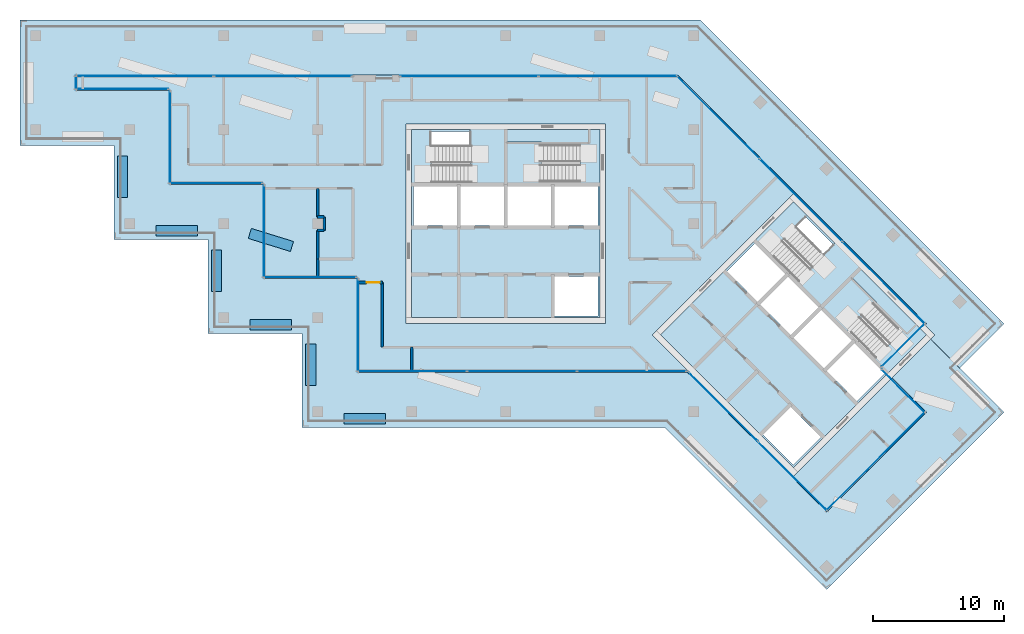
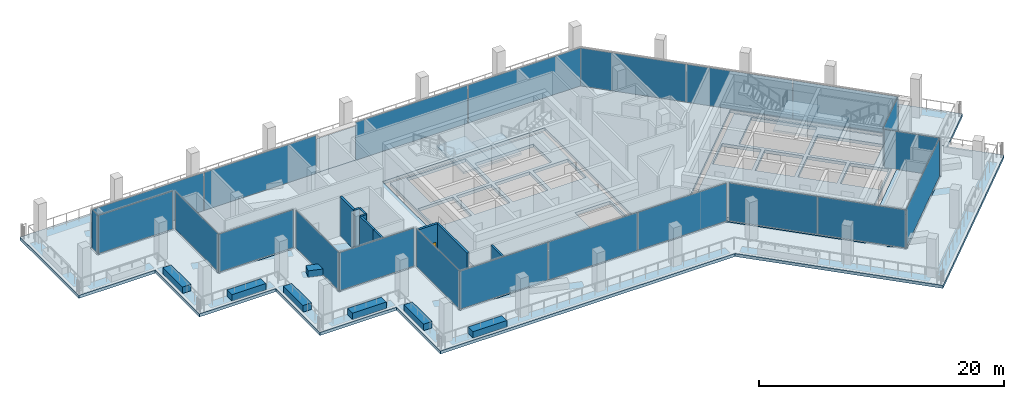
# One storey, part 8 of 20: 22 plates, 16 walls, 8 slabs, 1 door, 16 openings, 19 elements without a shape of their own.
"""IFC4 building model written with IfcOpenShell, lengths in metres."""

from ifc_helpers import new_model, si_unit, direction, frame, frame_2d, origin, origin_2d, place, context, subcontext, project, spatial, polyline, rectangle, outline, extrude, material, layer, layer_set, type_object, element, fill, aggregate, save


model = new_model("IFC4")

# Units and contexts
model_context = context("Model", 3, precision=1e-05, world=origin(), true_north=direction((0.0, 1.0)))
body_context = subcontext(model_context, "Body", "Model", "MODEL_VIEW")
ifc_project = project(units=[si_unit("LENGTHUNIT", "METRE"), si_unit("AREAUNIT", "SQUARE_METRE"), si_unit("VOLUMEUNIT", "CUBIC_METRE"), si_unit("PLANEANGLEUNIT", "RADIAN"), si_unit("MASSUNIT", "GRAM", prefix="KILO")], contexts=[model_context])

# Site, building, storey
site_placement = place(None, origin())
site = spatial("IfcSite", under=ifc_project, at=site_placement, CompositionType="ELEMENT")
building_placement = place(site_placement, origin())
building = spatial("IfcBuilding", under=site, at=building_placement, Name="Windrow Commons", CompositionType="ELEMENT")
storey_placement = place(building_placement, frame((0.0, 0.0, 239.6)))
storey = spatial("IfcBuildingStorey", under=building, at=storey_placement, Name="L65", CompositionType="ELEMENT", Elevation=239.6)

# Slab, openings
ifc_material_1 = material(Name="Concrete C40/50", Category="concrete")
ifc_layer_1 = layer(ifc_material_1, 0.3)
ifc_layer_set_1 = layer_set([ifc_layer_1], Name="CORE FLOOR SLAB 300 C40/50")
slab_type_1 = type_object("IfcSlabType", Name="CORE FLOOR SLAB 300 C40/50", PredefinedType="FLOOR", material=ifc_layer_set_1)
placement_1 = place(storey_placement, frame((0.0, 0.0, -0.3)))
slab_1 = element("IfcSlab", 1, at=placement_1, inside=storey, type_object=slab_type_1, Name="S-L65-core-A", PredefinedType="FLOOR", context=body_context, shape_type="SweptSolid", body=[
    extrude(outline(polyline([(57.6, 50.4), (72.0, 50.4), (72.0, 64.8), (57.6, 64.8), (57.6, 50.4)]), holes=[polyline([(68.55, 50.55), (71.85, 50.55), (71.85, 53.55), (68.55, 53.55), (68.55, 50.55)]), polyline([(57.75, 57.45), (61.05, 57.45), (61.05, 60.45), (57.75, 60.45), (57.75, 57.45)]), polyline([(61.35, 57.45), (64.65, 57.45), (64.65, 60.45), (61.35, 60.45), (61.35, 57.45)]), polyline([(64.95, 57.45), (68.25, 57.45), (68.25, 60.45), (64.95, 60.45), (64.95, 57.45)]), polyline([(68.55, 57.45), (71.85, 57.45), (71.85, 60.45), (68.55, 60.45), (68.55, 57.45)]), polyline([(59.1, 60.75), (64.65, 60.75), (64.65, 64.65), (59.1, 64.65), (59.1, 60.75)]), polyline([(64.95, 60.75), (70.5, 60.75), (70.5, 63.705), (64.95, 63.705), (64.95, 60.75)])]), origin(), (0.0, 0.0, 1.0), 0.3),
])
opening_1_placement = place(placement_1, origin())
element("IfcOpeningElement", 2, at=opening_1_placement, cuts=slab_1, Name="Slab opening S-L65-core-A 1", PredefinedType="OPENING", context=body_context, shape_type="SweptSolid", body=[
    extrude(outline(polyline([(68.555, 50.555), (68.555, 53.545), (71.845, 53.545), (71.845, 50.555), (68.555, 50.555)])), origin(), (0.0, 0.0, 1.0), 0.3),
])
opening_2_placement = place(placement_1, origin())
element("IfcOpeningElement", 3, at=opening_2_placement, cuts=slab_1, Name="Slab opening S-L65-core-A 2", PredefinedType="OPENING", context=body_context, shape_type="SweptSolid", body=[
    extrude(outline(polyline([(57.755, 57.455), (57.755, 60.445), (61.045, 60.445), (61.045, 57.455), (57.755, 57.455)])), origin(), (0.0, 0.0, 1.0), 0.3),
])
opening_3_placement = place(placement_1, origin())
element("IfcOpeningElement", 4, at=opening_3_placement, cuts=slab_1, Name="Slab opening S-L65-core-A 3", PredefinedType="OPENING", context=body_context, shape_type="SweptSolid", body=[
    extrude(outline(polyline([(61.355, 57.455), (61.355, 60.445), (64.645, 60.445), (64.645, 57.455), (61.355, 57.455)])), origin(), (0.0, 0.0, 1.0), 0.3),
])
opening_4_placement = place(placement_1, origin())
element("IfcOpeningElement", 5, at=opening_4_placement, cuts=slab_1, Name="Slab opening S-L65-core-A 4", PredefinedType="OPENING", context=body_context, shape_type="SweptSolid", body=[
    extrude(outline(polyline([(64.955, 57.455), (64.955, 60.445), (68.245, 60.445), (68.245, 57.455), (64.955, 57.455)])), origin(), (0.0, 0.0, 1.0), 0.3),
])
opening_5_placement = place(placement_1, origin())
element("IfcOpeningElement", 6, at=opening_5_placement, cuts=slab_1, Name="Slab opening S-L65-core-A 5", PredefinedType="OPENING", context=body_context, shape_type="SweptSolid", body=[
    extrude(outline(polyline([(68.555, 57.455), (68.555, 60.445), (71.845, 60.445), (71.845, 57.455), (68.555, 57.455)])), origin(), (0.0, 0.0, 1.0), 0.3),
])
opening_6_placement = place(placement_1, origin())
element("IfcOpeningElement", 7, at=opening_6_placement, cuts=slab_1, Name="Slab opening S-L65-core-A 6", PredefinedType="OPENING", context=body_context, shape_type="SweptSolid", body=[
    extrude(outline(polyline([(59.105, 60.755), (59.105, 64.645), (64.645, 64.645), (64.645, 60.755), (59.105, 60.755)])), origin(), (0.0, 0.0, 1.0), 0.3),
])
opening_7_placement = place(placement_1, origin())
element("IfcOpeningElement", 8, at=opening_7_placement, cuts=slab_1, Name="Slab opening S-L65-core-A 7", PredefinedType="OPENING", context=body_context, shape_type="SweptSolid", body=[
    extrude(outline(polyline([(64.955, 60.755), (64.955, 63.7), (70.495, 63.7), (70.495, 60.755), (64.955, 60.755)])), origin(), (0.0, 0.0, 1.0), 0.3),
])

slab_2 = element("IfcSlab", 9, at=placement_1, inside=storey, type_object=slab_type_1, Name="S-L65-core-B", PredefinedType="FLOOR", context=body_context, shape_type="SweptSolid", body=[
    extrude(outline(polyline([(76.6544, 49.0897), (86.8368, 38.9074), (97.0191, 49.0897), (86.8368, 59.2721), (76.6544, 49.0897)]), holes=[polyline([(84.5033, 41.453), (86.8368, 39.1195), (88.9581, 41.2409), (86.6246, 43.5743), (84.5033, 41.453)]), polyline([(81.7456, 53.9688), (84.079, 51.6353), (86.2004, 53.7566), (83.8669, 56.0901), (81.7456, 53.9688)]), polyline([(84.2912, 51.4232), (86.6246, 49.0897), (88.7459, 51.2111), (86.4125, 53.5445), (84.2912, 51.4232)]), polyline([(86.8368, 48.8776), (89.1702, 46.5442), (91.2915, 48.6655), (88.9581, 50.9989), (86.8368, 48.8776)]), polyline([(89.3823, 46.332), (91.7158, 43.9986), (93.8371, 46.1199), (91.5037, 48.4533), (89.3823, 46.332)]), polyline([(85.0336, 55.3476), (88.9581, 51.4232), (91.7158, 54.1809), (87.7913, 58.1054), (85.0336, 55.3476)]), polyline([(89.1702, 51.2111), (93.0946, 47.2866), (95.1841, 49.3761), (91.2597, 53.3006), (89.1702, 51.2111)])]), origin(), (0.0, 0.0, 1.0), 0.3),
])
opening_8_placement = place(placement_1, origin())
element("IfcOpeningElement", 10, at=opening_8_placement, cuts=slab_2, Name="Slab opening S-L65-core-B 1", PredefinedType="OPENING", context=body_context, shape_type="SweptSolid", body=[
    extrude(outline(polyline([(84.5104, 41.453), (86.6246, 43.5672), (88.951, 41.2409), (86.8368, 39.1266), (84.5104, 41.453)])), origin(), (0.0, 0.0, 1.0), 0.3),
])
opening_9_placement = place(placement_1, origin())
element("IfcOpeningElement", 11, at=opening_9_placement, cuts=slab_2, Name="Slab opening S-L65-core-B 2", PredefinedType="OPENING", context=body_context, shape_type="SweptSolid", body=[
    extrude(outline(polyline([(81.7527, 53.9688), (83.8669, 56.083), (86.1933, 53.7566), (84.079, 51.6424), (81.7527, 53.9688)])), origin(), (0.0, 0.0, 1.0), 0.3),
])
opening_10_placement = place(placement_1, origin())
element("IfcOpeningElement", 12, at=opening_10_placement, cuts=slab_2, Name="Slab opening S-L65-core-B 3", PredefinedType="OPENING", context=body_context, shape_type="SweptSolid", body=[
    extrude(outline(polyline([(84.2983, 51.4232), (86.4125, 53.5374), (88.7388, 51.2111), (86.6246, 49.0968), (84.2983, 51.4232)])), origin(), (0.0, 0.0, 1.0), 0.3),
])
opening_11_placement = place(placement_1, origin())
element("IfcOpeningElement", 13, at=opening_11_placement, cuts=slab_2, Name="Slab opening S-L65-core-B 4", PredefinedType="OPENING", context=body_context, shape_type="SweptSolid", body=[
    extrude(outline(polyline([(86.8439, 48.8776), (88.9581, 50.9918), (91.2844, 48.6655), (89.1702, 46.5513), (86.8439, 48.8776)])), origin(), (0.0, 0.0, 1.0), 0.3),
])
opening_12_placement = place(placement_1, origin())
element("IfcOpeningElement", 14, at=opening_12_placement, cuts=slab_2, Name="Slab opening S-L65-core-B 5", PredefinedType="OPENING", context=body_context, shape_type="SweptSolid", body=[
    extrude(outline(polyline([(89.3894, 46.332), (91.5037, 48.4462), (93.83, 46.1199), (91.7158, 44.0057), (89.3894, 46.332)])), origin(), (0.0, 0.0, 1.0), 0.3),
])
opening_13_placement = place(placement_1, origin())
element("IfcOpeningElement", 15, at=opening_13_placement, cuts=slab_2, Name="Slab opening S-L65-core-B 6", PredefinedType="OPENING", context=body_context, shape_type="SweptSolid", body=[
    extrude(outline(polyline([(85.0407, 55.3476), (87.7913, 58.0983), (91.7087, 54.1809), (88.9581, 51.4303), (85.0407, 55.3476)])), origin(), (0.0, 0.0, 1.0), 0.3),
])
opening_14_placement = place(placement_1, origin())
element("IfcOpeningElement", 16, at=opening_14_placement, cuts=slab_2, Name="Slab opening S-L65-core-B 7", PredefinedType="OPENING", context=body_context, shape_type="SweptSolid", body=[
    extrude(outline(polyline([(89.1773, 51.2111), (91.2597, 53.2935), (95.177, 49.3761), (93.0946, 47.2937), (89.1773, 51.2111)])), origin(), (0.0, 0.0, 1.0), 0.3),
])

# Curtain wall, plate
ifc_material_2 = material(Name="Clear laminated glass in Aluminium 6063-T6 anodised frame", Category="aluminium")
curtain_wall_type = type_object("IfcCurtainWallType", Name="Curtain wall CW2H sky lounge upper", PredefinedType="USERDEFINED", material=ifc_material_2)
placement_2 = place(storey_placement, origin())
curtain_wall_1 = element("IfcCurtainWall", 17, at=placement_2, inside=storey, type_object=curtain_wall_type, Name="Curtain wall CW2H L65 1", ObjectType="UNITISED", PredefinedType="USERDEFINED")
ifc_material_3 = material(Name="Clear laminated glass", Category="glass")
ifc_layer_2 = layer(ifc_material_3, 0.032)
ifc_layer_set_2 = layer_set([ifc_layer_2], Name="CW2H panel glass 32")
plate_type = type_object("IfcPlateType", Name="CW2H panel glass 32", PredefinedType="CURTAIN_PANEL", material=ifc_layer_set_2)
plate_1_placement = place(storey_placement, frame((95.2513, 44.7764, 0.06), z_axis=(0.0, 0.0, 1.0), x_axis=(-0.7070963646, 0.7071171977, 0.0)))
plate_1 = element("IfcPlate", 18, at=plate_1_placement, type_object=plate_type, Name="CW2H panel 1.1", PredefinedType="CURTAIN_PANEL", context=body_context, shape_type="SweptSolid", body=[
    extrude(rectangle(XDim=4.6801, YDim=0.032, at=origin_2d()), origin(), (0.0, 0.0, 1.0), 3.78),
])
aggregate(curtain_wall_1, [plate_1])

curtain_wall_2 = element("IfcCurtainWall", 19, at=placement_2, inside=storey, type_object=curtain_wall_type, Name="Curtain wall CW2H L65 2", ObjectType="UNITISED", PredefinedType="USERDEFINED")
plate_2_placement = place(storey_placement, frame((95.2513, 48.312, 0.06), z_axis=(0.0, 0.0, 1.0), x_axis=(0.7071067812, 0.7071067812, 0.0)))
plate_2 = element("IfcPlate", 20, at=plate_2_placement, type_object=plate_type, Name="CW2H panel 1.1", PredefinedType="CURTAIN_PANEL", context=body_context, shape_type="SweptSolid", body=[
    extrude(rectangle(XDim=4.68, YDim=0.032, at=origin_2d()), origin(), (0.0, 0.0, 1.0), 3.78),
])
aggregate(curtain_wall_2, [plate_2])

# Curtain wall, plates
curtain_wall_3 = element("IfcCurtainWall", 21, at=placement_2, inside=storey, type_object=curtain_wall_type, Name="Curtain wall CW2H L65 3", ObjectType="UNITISED", PredefinedType="USERDEFINED")
plate_3_placement = place(storey_placement, frame((93.7608, 53.0551, 0.06), z_axis=(0.0, 0.0, 1.0), x_axis=(-0.7071067812, 0.7071067812, 0.0)))
plate_3 = element("IfcPlate", 22, at=plate_3_placement, type_object=plate_type, Name="CW2H panel 1.1", PredefinedType="CURTAIN_PANEL", context=body_context, shape_type="SweptSolid", body=[
    extrude(rectangle(XDim=8.8958, YDim=0.032, at=origin_2d()), origin(), (0.0, 0.0, 1.0), 3.78),
])
plate_4_placement = place(storey_placement, frame((87.4175, 59.3984, 0.06), z_axis=(0.0, 0.0, 1.0), x_axis=(-0.7071067812, 0.7071067812, 0.0)))
plate_4 = element("IfcPlate", 23, at=plate_4_placement, type_object=plate_type, Name="CW2H panel 2.1", PredefinedType="CURTAIN_PANEL", context=body_context, shape_type="SweptSolid", body=[
    extrude(rectangle(XDim=8.9258, YDim=0.032, at=origin_2d()), origin(), (0.0, 0.0, 1.0), 3.78),
])
plate_5_placement = place(storey_placement, frame((81.0742, 65.7417, 0.06), z_axis=(0.0, 0.0, 1.0), x_axis=(-0.7071067812, 0.7071067812, 0.0)))
plate_5 = element("IfcPlate", 24, at=plate_5_placement, type_object=plate_type, Name="CW2H panel 3.1", PredefinedType="CURTAIN_PANEL", context=body_context, shape_type="SweptSolid", body=[
    extrude(rectangle(XDim=8.8958, YDim=0.032, at=origin_2d()), origin(), (0.0, 0.0, 1.0), 3.78),
])
aggregate(curtain_wall_3, [plate_3, plate_4, plate_5])

curtain_wall_4 = element("IfcCurtainWall", 25, at=placement_2, inside=storey, type_object=curtain_wall_type, Name="Curtain wall CW2H L65 4.1", ObjectType="UNITISED", PredefinedType="USERDEFINED")
plate_6_placement = place(storey_placement, frame((72.6226, 68.9, 0.06), z_axis=(0.0, 0.0, 1.0), x_axis=(-1.0, 0.0, 0.0)))
plate_6 = element("IfcPlate", 26, at=plate_6_placement, type_object=plate_type, Name="CW2H panel 1.1", PredefinedType="CURTAIN_PANEL", context=body_context, shape_type="SweptSolid", body=[
    extrude(rectangle(XDim=10.5495, YDim=0.032, at=origin_2d()), origin(), (0.0, 0.0, 1.0), 3.78),
])
plate_7_placement = place(storey_placement, frame((62.0132, 68.9, 0.06), z_axis=(0.0, 0.0, 1.0), x_axis=(-1.0, 0.0, 0.0)))
plate_7 = element("IfcPlate", 27, at=plate_7_placement, type_object=plate_type, Name="CW2H panel 2.1", PredefinedType="CURTAIN_PANEL", context=body_context, shape_type="SweptSolid", body=[
    extrude(rectangle(XDim=10.5495, YDim=0.032, at=origin_2d()), origin(), (0.0, 0.0, 1.0), 3.78),
])
aggregate(curtain_wall_4, [plate_6, plate_7])

curtain_wall_5 = element("IfcCurtainWall", 28, at=placement_2, inside=storey, type_object=curtain_wall_type, Name="Curtain wall CW2H L65 4.2", ObjectType="UNITISED", PredefinedType="USERDEFINED")
plate_8_placement = place(storey_placement, frame((47.7438, 68.9, 0.06), z_axis=(0.0, 0.0, 1.0), x_axis=(-1.0, 0.0, 0.0)))
plate_8 = element("IfcPlate", 29, at=plate_8_placement, type_object=plate_type, Name="CW2H panel 1.1", PredefinedType="CURTAIN_PANEL", context=body_context, shape_type="SweptSolid", body=[
    extrude(rectangle(XDim=10.5492, YDim=0.032, at=origin_2d()), origin(), (0.0, 0.0, 1.0), 3.78),
])
plate_9_placement = place(storey_placement, frame((37.1346, 68.9, 0.06), z_axis=(0.0, 0.0, 1.0), x_axis=(-1.0, 0.0, 0.0)))
plate_9 = element("IfcPlate", 30, at=plate_9_placement, type_object=plate_type, Name="CW2H panel 2.1", PredefinedType="CURTAIN_PANEL", context=body_context, shape_type="SweptSolid", body=[
    extrude(rectangle(XDim=10.5492, YDim=0.032, at=origin_2d()), origin(), (0.0, 0.0, 1.0), 3.78),
])
aggregate(curtain_wall_5, [plate_8, plate_9])

# Curtain wall, plate
curtain_wall_6 = element("IfcCurtainWall", 31, at=placement_2, inside=storey, type_object=curtain_wall_type, Name="Curtain wall CW2H L65 5", ObjectType="UNITISED", PredefinedType="USERDEFINED")
plate_10_placement = place(storey_placement, frame((31.9, 68.4, 0.06), z_axis=(0.0, 0.0, 1.0), x_axis=(0.0, -1.0, 0.0)))
plate_10 = element("IfcPlate", 32, at=plate_10_placement, type_object=plate_type, Name="CW2H panel 1.1", PredefinedType="CURTAIN_PANEL", context=body_context, shape_type="SweptSolid", body=[
    extrude(rectangle(XDim=1.08, YDim=0.032, at=origin_2d()), origin(), (0.0, 0.0, 1.0), 3.78),
])
aggregate(curtain_wall_6, [plate_10])

curtain_wall_7 = element("IfcCurtainWall", 33, at=placement_2, inside=storey, type_object=curtain_wall_type, Name="Curtain wall CW2H L65 6", ObjectType="UNITISED", PredefinedType="USERDEFINED")
plate_11_placement = place(storey_placement, frame((35.4, 67.9, 0.06), z_axis=(0.0, 0.0, 1.0), x_axis=(1.0, 0.0, 0.0)))
plate_11 = element("IfcPlate", 34, at=plate_11_placement, type_object=plate_type, Name="CW2H panel 1.1", PredefinedType="CURTAIN_PANEL", context=body_context, shape_type="SweptSolid", body=[
    extrude(rectangle(XDim=7.08, YDim=0.032, at=origin_2d()), origin(), (0.0, 0.0, 1.0), 3.78),
])
aggregate(curtain_wall_7, [plate_11])

curtain_wall_8 = element("IfcCurtainWall", 35, at=placement_2, inside=storey, type_object=curtain_wall_type, Name="Curtain wall CW2H L65 7", ObjectType="UNITISED", PredefinedType="USERDEFINED")
plate_12_placement = place(storey_placement, frame((39.1, 64.2, 0.06), z_axis=(0.0, 0.0, 1.0), x_axis=(0.0, -1.0, 0.0)))
plate_12 = element("IfcPlate", 36, at=plate_12_placement, type_object=plate_type, Name="CW2H panel 1.1", PredefinedType="CURTAIN_PANEL", context=body_context, shape_type="SweptSolid", body=[
    extrude(rectangle(XDim=7.08, YDim=0.032, at=origin_2d()), origin(), (0.0, 0.0, 1.0), 3.78),
])
aggregate(curtain_wall_8, [plate_12])

curtain_wall_9 = element("IfcCurtainWall", 37, at=placement_2, inside=storey, type_object=curtain_wall_type, Name="Curtain wall CW2H L65 8", ObjectType="UNITISED", PredefinedType="USERDEFINED")
plate_13_placement = place(storey_placement, frame((42.6, 60.7, 0.06), z_axis=(0.0, 0.0, 1.0), x_axis=(1.0, 0.0, 0.0)))
plate_13 = element("IfcPlate", 38, at=plate_13_placement, type_object=plate_type, Name="CW2H panel 1.1", PredefinedType="CURTAIN_PANEL", context=body_context, shape_type="SweptSolid", body=[
    extrude(rectangle(XDim=7.08, YDim=0.032, at=origin_2d()), origin(), (0.0, 0.0, 1.0), 3.78),
])
aggregate(curtain_wall_9, [plate_13])

curtain_wall_10 = element("IfcCurtainWall", 39, at=placement_2, inside=storey, type_object=curtain_wall_type, Name="Curtain wall CW2H L65 9", ObjectType="UNITISED", PredefinedType="USERDEFINED")
plate_14_placement = place(storey_placement, frame((46.3, 57.0, 0.06), z_axis=(0.0, 0.0, 1.0), x_axis=(0.0, -1.0, 0.0)))
plate_14 = element("IfcPlate", 40, at=plate_14_placement, type_object=plate_type, Name="CW2H panel 1.1", PredefinedType="CURTAIN_PANEL", context=body_context, shape_type="SweptSolid", body=[
    extrude(rectangle(XDim=7.08, YDim=0.032, at=origin_2d()), origin(), (0.0, 0.0, 1.0), 3.78),
])
aggregate(curtain_wall_10, [plate_14])

curtain_wall_11 = element("IfcCurtainWall", 41, at=placement_2, inside=storey, type_object=curtain_wall_type, Name="Curtain wall CW2H L65 10", ObjectType="UNITISED", PredefinedType="USERDEFINED")
plate_15_placement = place(storey_placement, frame((49.8, 53.5, 0.06), z_axis=(0.0, 0.0, 1.0), x_axis=(1.0, 0.0, 0.0)))
plate_15 = element("IfcPlate", 42, at=plate_15_placement, type_object=plate_type, Name="CW2H panel 1.1", PredefinedType="CURTAIN_PANEL", context=body_context, shape_type="SweptSolid", body=[
    extrude(rectangle(XDim=7.08, YDim=0.032, at=origin_2d()), origin(), (0.0, 0.0, 1.0), 3.78),
])
aggregate(curtain_wall_11, [plate_15])

curtain_wall_12 = element("IfcCurtainWall", 43, at=placement_2, inside=storey, type_object=curtain_wall_type, Name="Curtain wall CW2H L65 11", ObjectType="UNITISED", PredefinedType="USERDEFINED")
plate_16_placement = place(storey_placement, frame((53.5, 49.8, 0.06), z_axis=(0.0, 0.0, 1.0), x_axis=(0.0, -1.0, 0.0)))
plate_16 = element("IfcPlate", 44, at=plate_16_placement, type_object=plate_type, Name="CW2H panel 1.1", PredefinedType="CURTAIN_PANEL", context=body_context, shape_type="SweptSolid", body=[
    extrude(rectangle(XDim=7.08, YDim=0.032, at=origin_2d()), origin(), (0.0, 0.0, 1.0), 3.78),
])
aggregate(curtain_wall_12, [plate_16])

# Curtain wall, plates
curtain_wall_13 = element("IfcCurtainWall", 45, at=placement_2, inside=storey, type_object=curtain_wall_type, Name="Curtain wall CW2H L65 12", ObjectType="UNITISED", PredefinedType="USERDEFINED")
plate_17_placement = place(storey_placement, frame((57.6309, 46.3, 0.06), z_axis=(0.0, 0.0, 1.0), x_axis=(1.0, 0.0, 0.0)))
plate_17 = element("IfcPlate", 46, at=plate_17_placement, type_object=plate_type, Name="CW2H panel 1.1", PredefinedType="CURTAIN_PANEL", context=body_context, shape_type="SweptSolid", body=[
    extrude(rectangle(XDim=8.3419, YDim=0.032, at=origin_2d()), origin(), (0.0, 0.0, 1.0), 3.78),
])
plate_18_placement = place(storey_placement, frame((66.0478, 46.3, 0.06), z_axis=(0.0, 0.0, 1.0), x_axis=(1.0, 0.0, 0.0)))
plate_18 = element("IfcPlate", 47, at=plate_18_placement, type_object=plate_type, Name="CW2H panel 2.1", PredefinedType="CURTAIN_PANEL", context=body_context, shape_type="SweptSolid", body=[
    extrude(rectangle(XDim=8.3719, YDim=0.032, at=origin_2d()), origin(), (0.0, 0.0, 1.0), 3.78),
])
plate_19_placement = place(storey_placement, frame((74.4647, 46.3, 0.06), z_axis=(0.0, 0.0, 1.0), x_axis=(1.0, 0.0, 0.0)))
plate_19 = element("IfcPlate", 48, at=plate_19_placement, type_object=plate_type, Name="CW2H panel 3.1", PredefinedType="CURTAIN_PANEL", context=body_context, shape_type="SweptSolid", body=[
    extrude(rectangle(XDim=8.3419, YDim=0.032, at=origin_2d()), origin(), (0.0, 0.0, 1.0), 3.78),
])
aggregate(curtain_wall_13, [plate_17, plate_18, plate_19])

curtain_wall_14 = element("IfcCurtainWall", 49, at=placement_2, inside=storey, type_object=curtain_wall_type, Name="Curtain wall CW2H L65 13", ObjectType="UNITISED", PredefinedType="USERDEFINED")
plate_20_placement = place(storey_placement, frame((81.4486, 43.5884, 0.06), z_axis=(0.0, 0.0, 1.0), x_axis=(0.7071067812, -0.7071067812, 0.0)))
plate_20 = element("IfcPlate", 50, at=plate_20_placement, type_object=plate_type, Name="CW2H panel 1.1", PredefinedType="CURTAIN_PANEL", context=body_context, shape_type="SweptSolid", body=[
    extrude(rectangle(XDim=7.4666, YDim=0.032, at=origin_2d()), origin(), (0.0, 0.0, 1.0), 3.78),
])
plate_21_placement = place(storey_placement, frame((86.7707, 38.2663, 0.06), z_axis=(0.0, 0.0, 1.0), x_axis=(0.7071067812, -0.7071067812, 0.0)))
plate_21 = element("IfcPlate", 51, at=plate_21_placement, type_object=plate_type, Name="CW2H panel 2.1", PredefinedType="CURTAIN_PANEL", context=body_context, shape_type="SweptSolid", body=[
    extrude(rectangle(XDim=7.4666, YDim=0.032, at=origin_2d()), origin(), (0.0, 0.0, 1.0), 3.78),
])
aggregate(curtain_wall_14, [plate_20, plate_21])

# Curtain wall, plate
curtain_wall_15 = element("IfcCurtainWall", 52, at=placement_2, inside=storey, type_object=curtain_wall_type, Name="Curtain wall CW2H L65 14", ObjectType="UNITISED", PredefinedType="USERDEFINED")
plate_22_placement = place(storey_placement, frame((93.13, 39.4024, 0.06), z_axis=(0.0, 0.0, 1.0), x_axis=(0.7071114108, 0.7071021515, 0.0)))
plate_22 = element("IfcPlate", 53, at=plate_22_placement, type_object=plate_type, Name="CW2H panel 1.1", PredefinedType="CURTAIN_PANEL", context=body_context, shape_type="SweptSolid", body=[
    extrude(rectangle(XDim=10.68, YDim=0.032, at=origin_2d()), origin(), (0.0, 0.0, 1.0), 3.78),
])
aggregate(curtain_wall_15, [plate_22])

# Stair, slab
ifc_material_4 = material(Name="Concrete C40/50", Category="concrete")
stair_type = type_object("IfcStairType", Name="Core stair", PredefinedType="HALF_TURN_STAIR", material=ifc_material_4)
stair_1 = element("IfcStair", 54, at=placement_2, inside=storey, type_object=stair_type, Name="L65 Exit stair A1 core A", PredefinedType="HALF_TURN_STAIR")
ifc_material_5 = material(Name="Concrete C40/50", Category="concrete")
ifc_layer_3 = layer(ifc_material_5, 0.2)
ifc_layer_set_3 = layer_set([ifc_layer_3], Name="Core stair landing")
slab_type_2 = type_object("IfcSlabType", Name="Core stair landing", PredefinedType="LANDING", material=ifc_layer_set_3)
placement_3 = place(storey_placement, frame((0.0, 0.0, 1.9)))
slab_3 = element("IfcSlab", 55, at=placement_3, type_object=slab_type_2, Name="ST-A1 landing 1", PredefinedType="LANDING", context=body_context, shape_type="SweptSolid", body=[
    extrude(outline(polyline([(62.06, 60.5), (64.8, 60.5), (64.8, 64.9), (62.06, 64.9), (62.06, 60.5)])), origin(), (0.0, 0.0, 1.0), 0.2),
])
aggregate(stair_1, [slab_3])

stair_2 = element("IfcStair", 56, at=placement_2, inside=storey, type_object=stair_type, Name="L65 Exit stair A2 core A", PredefinedType="HALF_TURN_STAIR")
slab_4 = element("IfcSlab", 57, at=placement_3, type_object=slab_type_2, Name="ST-A2 landing 1", PredefinedType="LANDING", context=body_context, shape_type="SweptSolid", body=[
    extrude(outline(polyline([(64.8, 60.5), (67.54, 60.5), (67.54, 63.855), (64.8, 63.855), (64.8, 60.5)])), origin(), (0.0, 0.0, 1.0), 0.2),
])
aggregate(stair_2, [slab_4])

stair_3 = element("IfcStair", 58, at=placement_2, inside=storey, type_object=stair_type, Name="L65 Exit stair B1 core B", PredefinedType="HALF_TURN_STAIR")
slab_5 = element("IfcSlab", 59, at=placement_3, type_object=slab_type_2, Name="ST-B1 landing 1", PredefinedType="LANDING", context=body_context, shape_type="SweptSolid", body=[
    extrude(outline(polyline([(86.9499, 53.0778), (88.8874, 51.1403), (91.9986, 54.2516), (90.0612, 56.1891), (86.9499, 53.0778)])), origin(), (0.0, 0.0, 1.0), 0.2),
])
aggregate(stair_3, [slab_5])

stair_4 = element("IfcStair", 60, at=placement_2, inside=storey, type_object=stair_type, Name="L65 Exit stair B2 core B", PredefinedType="HALF_TURN_STAIR")
slab_6 = element("IfcSlab", 61, at=placement_3, type_object=slab_type_2, Name="ST-B2 landing 1", PredefinedType="LANDING", context=body_context, shape_type="SweptSolid", body=[
    extrude(outline(polyline([(88.8874, 51.1403), (90.8248, 49.2029), (93.1971, 51.5752), (91.2597, 53.5127), (88.8874, 51.1403)])), origin(), (0.0, 0.0, 1.0), 0.2),
])
aggregate(stair_4, [slab_6])

# Slab, opening
ifc_material_6 = material(Name="Concrete C40/50", Category="concrete")
ifc_layer_4 = layer(ifc_material_6, 0.3)
ifc_layer_set_4 = layer_set([ifc_layer_4], Name="FLOOR SLAB 300 C40/50")
slab_type_3 = type_object("IfcSlabType", Name="FLOOR SLAB 300 C40/50", PredefinedType="FLOOR", material=ifc_layer_set_4)
slab_7 = element("IfcSlab", 62, at=placement_1, inside=storey, type_object=slab_type_3, Name="S-L65-floor", PredefinedType="FLOOR", context=body_context, shape_type="SweptSolid", body=[
    extrude(outline(polyline([(89.3823, 35.5133), (97.0191, 43.15), (94.3674, 45.8017), (86.8368, 38.271), (76.018, 49.0897), (86.8368, 59.9085), (96.913, 49.8322), (97.0191, 49.9383), (77.9574, 69.0), (31.8, 69.0), (31.8, 67.8), (39.0, 67.8), (39.0, 60.6), (46.2, 60.6), (46.2, 53.4), (53.4, 53.4), (53.4, 46.2), (78.6956, 46.2), (89.3823, 35.5133)]), holes=[polyline([(57.15, 49.95), (57.15, 65.25), (72.45, 65.25), (72.45, 49.95), (57.15, 49.95)])]), origin(), (0.0, 0.0, 1.0), 0.3),
])
opening_15_placement = place(placement_1, origin())
element("IfcOpeningElement", 63, at=opening_15_placement, cuts=slab_7, Name="Slab opening S-L65-floor 1", PredefinedType="OPENING", context=body_context, shape_type="SweptSolid", body=[
    extrude(outline(polyline([(57.155, 49.955), (57.155, 65.245), (72.445, 65.245), (72.445, 49.955), (57.155, 49.955)])), origin(), (0.0, 0.0, 1.0), 0.3),
])

# Slab
ifc_material_7 = material(Name="Concrete C40/50", Category="concrete")
ifc_layer_5 = layer(ifc_material_7, 0.3)
ifc_layer_set_5 = layer_set([ifc_layer_5], Name="TERRACE SLAB 300 C40/50")
slab_type_4 = type_object("IfcSlabType", Name="TERRACE SLAB 300 C40/50", PredefinedType="FLOOR", material=ifc_layer_set_5)
element("IfcSlab", 64, at=placement_1, inside=storey, type_object=slab_type_4, Name="Terrace slab TR-L65-1", PredefinedType="FLOOR", context=body_context, shape_type="SweptSolid", body=[
    extrude(outline(polyline([(49.2, 49.2), (49.2, 42.0), (76.9559, 42.0), (89.3823, 29.5736), (102.9588, 43.15), (99.6001, 46.5088), (99.593, 46.5018), (97.3303, 48.7645), (94.3675, 45.8017), (97.0191, 43.15), (89.3823, 35.5133), (78.6956, 46.2), (53.4, 46.2), (53.4, 53.4), (46.2, 53.4), (46.2, 60.6), (39.0, 60.6), (39.0, 67.8), (31.8, 67.8), (31.8, 69.0), (77.9574, 69.0), (97.0191, 49.9383), (96.913, 49.8322), (97.6555, 49.0897), (97.3444, 48.7786), (99.5718, 46.5513), (102.9588, 49.9383), (79.6971, 73.2), (27.6, 73.2), (27.6, 63.6), (34.8, 63.6), (34.8, 56.4), (42.0, 56.4), (42.0, 49.2), (49.2, 49.2)])), origin(), (0.0, 0.0, 1.0), 0.3),
])

# Wall
ifc_material_8 = material(Name="Blockwork partition", Category="masonry")
ifc_layer_6 = layer(ifc_material_8, 0.2)
ifc_layer_set_6 = layer_set([ifc_layer_6], Name="IW-CORRIDOR-200")
wall_type_1 = type_object("IfcWallType", Name="IW-CORRIDOR-200", PredefinedType="PARTITIONING", material=ifc_layer_set_6)
wall_1_placement = place(storey_placement, frame((55.35, 48.15, 0.0), z_axis=(0.0, 0.0, 1.0), x_axis=(0.0, 1.0, 0.0)))
element("IfcWall", 65, at=wall_1_placement, inside=storey, type_object=wall_type_1, Name="W-L65-W012", PredefinedType="PARTITIONING", context=body_context, shape_type="SweptSolid", body=[
    extrude(rectangle(XDim=4.95, YDim=0.2, at=frame_2d((2.475, 0.0))), origin(), (0.0, 0.0, 1.0), 3.9),
])

# Wall, opening, door
wall_2_placement = place(storey_placement, frame((53.53, 53.1, 0.0), z_axis=(0.0, 0.0, 1.0), x_axis=(1.0, 0.0, 0.0)))
wall_2 = element("IfcWall", 66, at=wall_2_placement, inside=storey, type_object=wall_type_1, Name="W-L65-W036", PredefinedType="PARTITIONING", context=body_context, shape_type="SweptSolid", body=[
    extrude(rectangle(XDim=1.82, YDim=0.2, at=frame_2d((0.91, 0.0))), origin(), (0.0, 0.0, 1.0), 3.9),
])
opening_16_placement = place(wall_2_placement, frame((0.6212, 0.0, 0.0)))
opening_16 = element("IfcOpeningElement", 67, at=opening_16_placement, cuts=wall_2, Name="Opening D310F", PredefinedType="OPENING", context=body_context, shape_type="SweptSolid", body=[
    extrude(rectangle(XDim=1.0, YDim=2.1, at=frame_2d((0.5, 1.05))), frame((0.0, 0.11, 0.0), z_axis=(0.0, -1.0, 0.0), x_axis=(1.0, 0.0, 0.0)), (0.0, 0.0, 1.0), 0.22),
])
ifc_material_9 = material(Name="Timber door leaf", Category="wood")
door_type = type_object("IfcDoorType", Name="DT-AMENITY-1000", OperationType="SINGLE_SWING_LEFT", PredefinedType="DOOR", material=ifc_material_9)
door_placement = place(opening_16_placement, origin())
door = element("IfcDoor", 68, at=door_placement, inside=storey, type_object=door_type, Name="D-L65-D000", OperationType="SINGLE_SWING_RIGHT", OverallHeight=2.1, OverallWidth=1.0, PredefinedType="DOOR", context=body_context, shape_type="SweptSolid", body=[
    extrude(rectangle(XDim=1.0, YDim=2.1, at=frame_2d((0.5, 1.05))), frame((0.0, 0.025, 0.0), z_axis=(0.0, -1.0, 0.0), x_axis=(1.0, 0.0, 0.0)), (0.0, 0.0, 1.0), 0.05),
])
fill(opening_16, door)

# Walls
wall_3_placement = place(storey_placement, frame((50.4, 53.53, 0.0), z_axis=(0.0, 0.0, 1.0), x_axis=(0.0, 1.0, 0.0)))
element("IfcWall", 69, at=wall_3_placement, inside=storey, type_object=wall_type_1, Name="W-L65-W043", PredefinedType="PARTITIONING", context=body_context, shape_type="SweptSolid", body=[
    extrude(rectangle(XDim=1.37, YDim=0.2, at=frame_2d((0.685, 0.0))), origin(), (0.0, 0.0, 1.0), 3.9),
])
ifc_material_10 = material(Name="Blockwork partition", Category="masonry")
ifc_layer_7 = layer(ifc_material_10, 0.2)
ifc_layer_set_7 = layer_set([ifc_layer_7], Name="IW-PARTY-200")
wall_type_2 = type_object("IfcWallType", Name="IW-PARTY-200", PredefinedType="PARTITIONING", material=ifc_layer_set_7)
wall_4_placement = place(storey_placement, frame((50.4, 54.9, 0.0), z_axis=(0.0, 0.0, 1.0), x_axis=(0.0, 1.0, 0.0)))
element("IfcWall", 70, at=wall_4_placement, inside=storey, type_object=wall_type_2, Name="W-L65-W030", PredefinedType="PARTITIONING", context=body_context, shape_type="SweptSolid", body=[
    extrude(rectangle(XDim=2.196, YDim=0.2, at=frame_2d((1.098, 0.0))), origin(), (0.0, 0.0, 1.0), 3.9),
])
wall_5_placement = place(storey_placement, frame((50.4, 58.106, 0.0), z_axis=(0.0, 0.0, 1.0), x_axis=(0.0, 1.0, 0.0)))
element("IfcWall", 71, at=wall_5_placement, inside=storey, type_object=wall_type_2, Name="W-L65-W031", PredefinedType="PARTITIONING", context=body_context, shape_type="SweptSolid", body=[
    extrude(rectangle(XDim=2.194, YDim=0.2, at=frame_2d((1.097, 0.0))), origin(), (0.0, 0.0, 1.0), 3.9),
])
wall_6_placement = place(storey_placement, frame((57.6, 46.33, 0.0), z_axis=(0.0, 0.0, 1.0), x_axis=(0.0, 1.0, 0.0)))
element("IfcWall", 72, at=wall_6_placement, inside=storey, type_object=wall_type_2, Name="W-L65-W037", PredefinedType="PARTITIONING", context=body_context, shape_type="SweptSolid", body=[
    extrude(rectangle(XDim=1.82, YDim=0.2, at=frame_2d((0.91, 0.0))), origin(), (0.0, 0.0, 1.0), 3.9),
])
wall_7_placement = place(storey_placement, frame((50.9, 57.096, 0.0), z_axis=(0.0, 0.0, 1.0), x_axis=(0.0, 1.0, 0.0)))
element("IfcWall", 73, at=wall_7_placement, inside=storey, type_object=wall_type_2, Name="W-L65-W048", PredefinedType="PARTITIONING", context=body_context, shape_type="SweptSolid", body=[
    extrude(rectangle(XDim=1.01, YDim=0.2, at=frame_2d((0.505, 0.0))), origin(), (0.0, 0.0, 1.0), 3.9),
])
for number, where, z_axis, x_axis, name in (
    (74, (50.4, 58.11, 0.0), (0.0, 0.0, 1.0), (1.0, 0.0, 0.0), "W-L65-W055"),
    (75, (50.4, 57.1, 0.0), (0.0, 0.0, 1.0), (1.0, 0.0, 0.0), "W-L65-W056"),
):
    element("IfcWall", number, at=place(storey_placement, frame(where, z_axis=z_axis, x_axis=x_axis)), inside=storey, type_object=wall_type_2, Name=name, PredefinedType="PARTITIONING", context=body_context, shape_type="SweptSolid", body=[
        extrude(rectangle(XDim=0.5, YDim=0.2, at=frame_2d((0.25, 0.0))), origin(), (0.0, 0.0, 1.0), 3.9),
    ])
ifc_material_11 = material(Name="Concrete C30/37 planter wall", Category="concrete")
ifc_layer_8 = layer(ifc_material_11, 0.8)
ifc_layer_set_8 = layer_set([ifc_layer_8], Name="Planter 800x600")
wall_type_3 = type_object("IfcWallType", Name="Planter 800x600", PredefinedType="SOLIDWALL", material=ifc_layer_set_8)
for number, where, z_axis, x_axis, name in (
    (76, (35.45, 62.8, 0.0), (0.0, 0.0, 1.0), (0.0, -1.0, 0.0), "PLANTER TR-L65-1.8"),
    (77, (38.0, 57.05, 0.0), (0.0, 0.0, 1.0), (1.0, 0.0, 0.0), "PLANTER TR-L65-1.9"),
    (78, (42.65, 55.6, 0.0), (0.0, 0.0, 1.0), (0.0, -1.0, 0.0), "PLANTER TR-L65-1.10"),
    (79, (45.2, 49.85, 0.0), (0.0, 0.0, 1.0), (1.0, 0.0, 0.0), "PLANTER TR-L65-1.11"),
    (80, (49.85, 48.4, 0.0), (0.0, 0.0, 1.0), (0.0, -1.0, 0.0), "PLANTER TR-L65-1.12"),
    (81, (52.4, 42.65, 0.0), (0.0, 0.0, 1.0), (1.0, 0.0, 0.0), "PLANTER TR-L65-1.13"),
):
    element("IfcWall", number, at=place(storey_placement, frame(where, z_axis=z_axis, x_axis=x_axis)), inside=storey, type_object=wall_type_3, Name=name, PredefinedType="SOLIDWALL", context=body_context, shape_type="SweptSolid", body=[
        extrude(rectangle(XDim=3.2, YDim=0.8, at=frame_2d((1.6, 0.0))), origin(), (0.0, 0.0, 1.0), 0.65),
    ])
wall_8_placement = place(storey_placement, frame((48.4274, 55.8555, 0.0), z_axis=(0.0, 0.0, 1.0), x_axis=(-0.9553575309, 0.2954521756, 0.0)))
element("IfcWall", 82, at=wall_8_placement, inside=storey, type_object=wall_type_3, Name="PLANTER TR-L65-1 bed 13", PredefinedType="SOLIDWALL", context=body_context, shape_type="SweptSolid", body=[
    extrude(outline(polyline([(0.0, -0.4), (3.3782, -0.4), (3.3782, 0.4), (0.0, 0.4), (0.0, -0.4)])), origin(), (0.0, 0.0, 1.0), 0.65),
])

save(model, "model.ifc")
